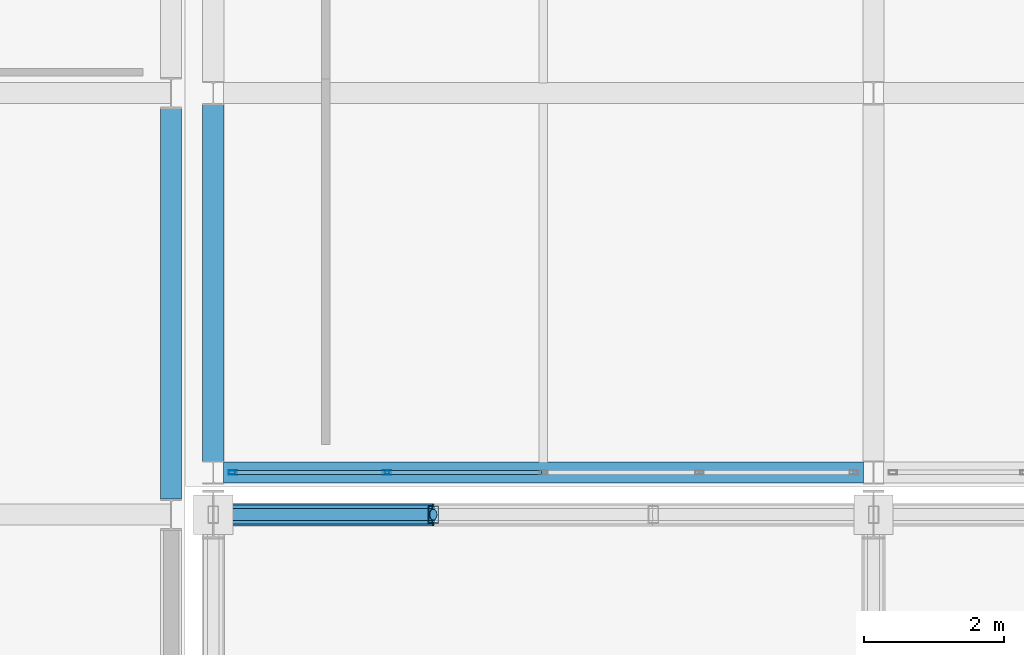
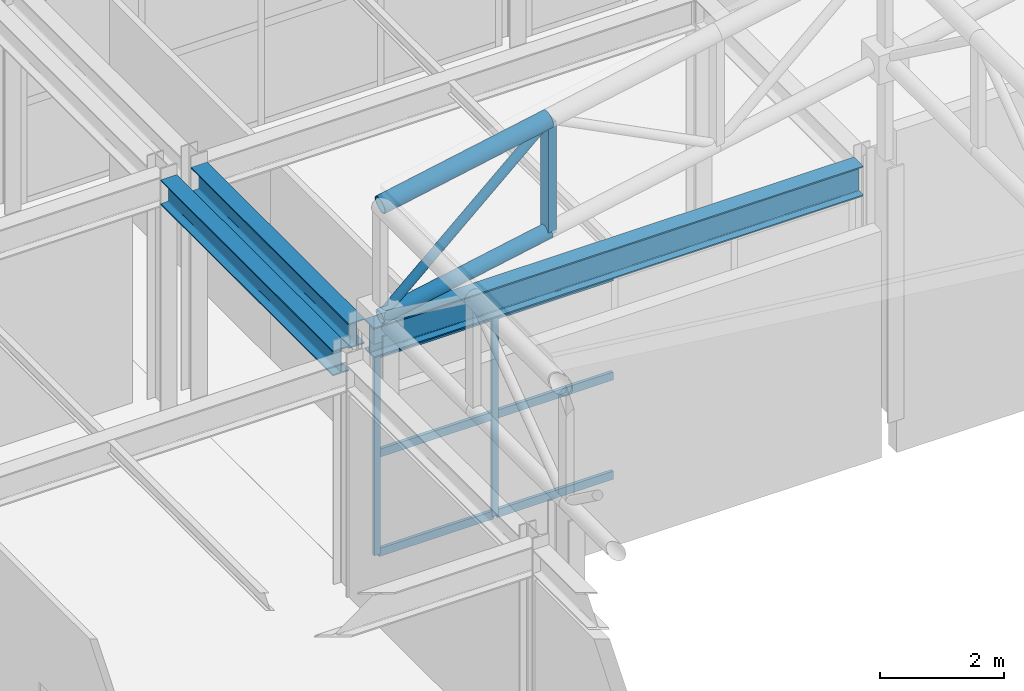
# One storey, part 62 of 112: 12 members, 3 beams, 1 element without a shape of its own.
"""IFC4 building model written with IfcOpenShell, lengths in metres."""

from ifc_helpers import new_model, si_unit, direction, frame, origin, origin_2d, place, context, subcontext, project, spatial, hollow_rectangle, hollow_circle, i_section, extrude, material, material_profile, profile_set, type_object, element, aggregate, save


model = new_model("IFC4")

# Units and contexts
model_context = context("Model", 3, precision=1e-05, world=origin(), true_north=direction((0.0, 1.0)))
body_context = subcontext(model_context, "Body", "Model", "MODEL_VIEW")
ifc_project = project(units=[si_unit("LENGTHUNIT", "METRE"), si_unit("AREAUNIT", "SQUARE_METRE"), si_unit("VOLUMEUNIT", "CUBIC_METRE"), si_unit("PLANEANGLEUNIT", "RADIAN"), si_unit("MASSUNIT", "GRAM", prefix="KILO")], contexts=[model_context])

# Site, building, storey
site_placement = place(None, origin())
site = spatial("IfcSite", under=ifc_project, at=site_placement, CompositionType="ELEMENT")
building_placement = place(site_placement, origin())
building = spatial("IfcBuilding", under=site, at=building_placement, Name="Kaldris Quays Convention Centre", CompositionType="ELEMENT")
storey_placement = place(building_placement, frame((0.0, 0.0, 16.800048828125)))
storey = spatial("IfcBuildingStorey", under=building, at=storey_placement, Name="L03", CompositionType="ELEMENT", Elevation=16.800048828125)

# Curtain wall, members
ifc_material_1 = material(Name="Anodized aluminium AW-6060 and triple glazing", Category="aluminium")
curtain_wall_type = type_object("IfcCurtainWallType", Name="UNITISED CURTAIN WALL CW06", PredefinedType="NOTDEFINED", material=ifc_material_1)
curtain_wall_placement = place(storey_placement, origin())
curtain_wall = element("IfcCurtainWall", 1, at=curtain_wall_placement, inside=storey, type_object=curtain_wall_type, Name="L03 Unitised Curtain Wall CW06 174", PredefinedType="NOTDEFINED")
ifc_material_2 = material(Name="Anodized aluminium AW-6060", Category="aluminium")
ifc_material_profile_1 = material_profile(ifc_material_2, hollow_rectangle(XDim=0.06005859375, YDim=0.1201171875, WallThickness=0.00390625, at=origin_2d()), Name="RHS 120x60x4")
ifc_profile_set_1 = profile_set([ifc_material_profile_1], Name="Anodized aluminium AW-6060")
member_type_1 = type_object("IfcMemberType", Name="CURTAIN MULLION CWM3", PredefinedType="MULLION", material=ifc_profile_set_1)
member_1_placement = place(storey_placement, frame((164.8798828125, 104.60009765625, 0.0), z_axis=(0.0, 0.0, 1.0), x_axis=(0.0, 1.0, 0.0)))
member_1 = element("IfcMember", 2, at=member_1_placement, type_object=member_type_1, Name="CW06 mullion 1", PredefinedType="MULLION", context=body_context, shape_type="SweptSolid", body=[
    extrude(hollow_rectangle(XDim=0.06005859375, YDim=0.1201171875, WallThickness=0.00390625, at=origin_2d()), origin(), (0.0, 0.0, 1.0), 3.967041015625),
])
member_2_placement = place(storey_placement, frame((167.074951171875, 104.60009765625, 0.0), z_axis=(0.0, 0.0, 1.0), x_axis=(0.0, 1.0, 0.0)))
member_2 = element("IfcMember", 3, at=member_2_placement, type_object=member_type_1, Name="CW06 mullion 2", PredefinedType="MULLION", context=body_context, shape_type="SweptSolid", body=[
    extrude(hollow_rectangle(XDim=0.06005859375, YDim=0.1201171875, WallThickness=0.00390625, at=origin_2d()), origin(), (0.0, 0.0, 1.0), 3.967041015625),
])
ifc_material_profile_2 = material_profile(ifc_material_2, hollow_rectangle(XDim=0.06005859375, YDim=0.159912109375, WallThickness=0.00390625, at=origin_2d()), Name="RHS 160x60x4")
ifc_profile_set_2 = profile_set([ifc_material_profile_2], Name="Anodized aluminium AW-6060")
member_type_2 = type_object("IfcMemberType", Name="CURTAIN TRANSOM CWT2", PredefinedType="USERDEFINED", material=ifc_profile_set_2)
member_3_placement = place(storey_placement, frame((164.909912109375, 104.60009765625, 0.030029296875), z_axis=(1.0, 0.0, 0.0), x_axis=(0.0, 1.0, 0.0)))
member_3 = element("IfcMember", 4, at=member_3_placement, type_object=member_type_2, Name="CW06 transom 1.1", ObjectType="TRANSOM", PredefinedType="USERDEFINED", context=body_context, shape_type="SweptSolid", body=[
    extrude(hollow_rectangle(XDim=0.06005859375, YDim=0.159912109375, WallThickness=0.00390625, at=origin_2d()), origin(), (0.0, 0.0, 1.0), 2.135009765625),
])
member_4_placement = place(storey_placement, frame((164.909912109375, 104.60009765625, 1.98388671875), z_axis=(1.0, 0.0, 0.0), x_axis=(0.0, 1.0, 0.0)))
member_4 = element("IfcMember", 5, at=member_4_placement, type_object=member_type_2, Name="CW06 transom 1.2", ObjectType="TRANSOM", PredefinedType="USERDEFINED", context=body_context, shape_type="SweptSolid", body=[
    extrude(hollow_rectangle(XDim=0.06005859375, YDim=0.159912109375, WallThickness=0.00390625, at=origin_2d()), origin(), (0.0, 0.0, 1.0), 2.135009765625),
])
member_5_placement = place(storey_placement, frame((164.909912109375, 104.60009765625, 3.93701171875), z_axis=(1.0, 0.0, 0.0), x_axis=(0.0, 1.0, 0.0)))
member_5 = element("IfcMember", 6, at=member_5_placement, type_object=member_type_2, Name="CW06 transom 1.3", ObjectType="TRANSOM", PredefinedType="USERDEFINED", context=body_context, shape_type="SweptSolid", body=[
    extrude(hollow_rectangle(XDim=0.06005859375, YDim=0.159912109375, WallThickness=0.00390625, at=origin_2d()), origin(), (0.0, 0.0, 1.0), 2.135009765625),
])
member_6_placement = place(storey_placement, frame((167.10498046875, 104.60009765625, 0.030029296875), z_axis=(1.0, 0.0, 0.0), x_axis=(0.0, 1.0, 0.0)))
member_6 = element("IfcMember", 7, at=member_6_placement, type_object=member_type_2, Name="CW06 transom 2.1", ObjectType="TRANSOM", PredefinedType="USERDEFINED", context=body_context, shape_type="SweptSolid", body=[
    extrude(hollow_rectangle(XDim=0.06005859375, YDim=0.159912109375, WallThickness=0.00390625, at=origin_2d()), origin(), (0.0, 0.0, 1.0), 2.1650390625),
])
member_7_placement = place(storey_placement, frame((167.10498046875, 104.60009765625, 1.98388671875), z_axis=(1.0, 0.0, 0.0), x_axis=(0.0, 1.0, 0.0)))
member_7 = element("IfcMember", 8, at=member_7_placement, type_object=member_type_2, Name="CW06 transom 2.2", ObjectType="TRANSOM", PredefinedType="USERDEFINED", context=body_context, shape_type="SweptSolid", body=[
    extrude(hollow_rectangle(XDim=0.06005859375, YDim=0.159912109375, WallThickness=0.00390625, at=origin_2d()), origin(), (0.0, 0.0, 1.0), 2.1650390625),
])
member_8_placement = place(storey_placement, frame((167.10498046875, 104.60009765625, 3.93701171875), z_axis=(1.0, 0.0, 0.0), x_axis=(0.0, 1.0, 0.0)))
member_8 = element("IfcMember", 9, at=member_8_placement, type_object=member_type_2, Name="CW06 transom 2.3", ObjectType="TRANSOM", PredefinedType="USERDEFINED", context=body_context, shape_type="SweptSolid", body=[
    extrude(hollow_rectangle(XDim=0.06005859375, YDim=0.159912109375, WallThickness=0.00390625, at=origin_2d()), origin(), (0.0, 0.0, 1.0), 2.1650390625),
])
aggregate(curtain_wall, [member_1, member_2, member_3, member_4, member_5, member_6, member_7, member_8])

# Beams
ifc_material_3 = material(Name="Steel S355J2", Category="steel")
ifc_material_profile_3 = material_profile(ifc_material_3, i_section(OverallWidth=0.300048828125, OverallDepth=0.590087890625, WebThickness=0.012939453125, FlangeThickness=0.02490234375, FilletRadius=0.027099609375, at=origin_2d()), Name="HEA 600")
ifc_profile_set_3 = profile_set([ifc_material_profile_3], Name="Steel S355J2")
beam_type_1 = type_object("IfcBeamType", Name="STRUCTURAL BEAM BM08", PredefinedType="BEAM", material=ifc_profile_set_3)
beam_1_placement = place(storey_placement, frame((164.743896484375, 104.60009765625, 4.286865234375), z_axis=(1.0, 0.0, 0.0), x_axis=(0.0, 1.0, 0.0)))
element("IfcBeam", 10, at=beam_1_placement, inside=storey, type_object=beam_type_1, Name="L03 Girder BM08 43", PredefinedType="BEAM", context=body_context, shape_type="SweptSolid", body=[
    extrude(i_section(OverallWidth=0.300048828125, OverallDepth=0.590087890625, WebThickness=0.012939453125, FlangeThickness=0.02490234375, FilletRadius=0.027099609375, at=origin_2d()), origin(), (0.0, 0.0, 1.0), 9.112060546875),
])
ifc_material_profile_4 = material_profile(ifc_material_3, i_section(OverallWidth=0.300048828125, OverallDepth=0.489990234375, WebThickness=0.011962890625, FlangeThickness=0.02294921875, FilletRadius=0.027099609375, at=origin_2d()), Name="HEA 500")
ifc_profile_set_4 = profile_set([ifc_material_profile_4], Name="Steel S355J2")
beam_type_2 = type_object("IfcBeamType", Name="STRUCTURAL BEAM BM09", PredefinedType="BEAM", material=ifc_profile_set_4)
beam_2_placement = place(storey_placement, frame((164.0, 104.218994140625, 4.3369140625), z_axis=(0.0, 1.0, 0.0), x_axis=(-1.0, 0.0, 0.0)))
element("IfcBeam", 11, at=beam_2_placement, inside=storey, type_object=beam_type_2, Name="L03 Girder BM09 100", PredefinedType="BEAM", context=body_context, shape_type="SweptSolid", body=[
    extrude(i_section(OverallWidth=0.300048828125, OverallDepth=0.489990234375, WebThickness=0.011962890625, FlangeThickness=0.02294921875, FilletRadius=0.027099609375, at=origin_2d()), origin(), (0.0, 0.0, 1.0), 5.56201171875),
])
beam_3_placement = place(storey_placement, frame((164.60009765625, 104.759033203125, 4.3369140625), z_axis=(0.0, 1.0, 0.0), x_axis=(-1.0, 0.0, 0.0)))
element("IfcBeam", 12, at=beam_3_placement, inside=storey, type_object=beam_type_2, Name="L03 Girder BM09 102", PredefinedType="BEAM", context=body_context, shape_type="SweptSolid", body=[
    extrude(i_section(OverallWidth=0.300048828125, OverallDepth=0.489990234375, WebThickness=0.011962890625, FlangeThickness=0.02294921875, FilletRadius=0.027099609375, at=origin_2d()), origin(), (0.0, 0.0, 1.0), 5.08203125),
])

# Members
ifc_material_4 = material(Name="Steel S355J2H", Category="steel")
ifc_material_profile_5 = material_profile(ifc_material_4, hollow_circle(Radius=0.161865234375, WallThickness=0.01611328125, at=origin_2d()), Name="CHS 323.9x16")
ifc_profile_set_5 = profile_set([ifc_material_profile_5], Name="Steel S355J2H")
member_type_3 = type_object("IfcMemberType", Name="STRUCTURAL MEMBER SC03", PredefinedType="CHORD", material=ifc_profile_set_5)
member_9_placement = place(storey_placement, frame((164.60009765625, 104.0, 7.33056640625), z_axis=(0.981908086595, 0.0, 0.189358151342), x_axis=(0.0, 1.0, 0.0)))
element("IfcMember", 13, at=member_9_placement, inside=storey, type_object=member_type_3, Name="SF-V2 Top Chord X 61", PredefinedType="CHORD", context=body_context, shape_type="SweptSolid", body=[
    extrude(hollow_circle(Radius=0.161865234375, WallThickness=0.01611328125, at=origin_2d()), origin(), (0.0, 0.0, 1.0), 3.19091796875),
])
ifc_material_profile_6 = material_profile(ifc_material_4, hollow_circle(Radius=0.136474609375, WallThickness=0.012451171875, at=origin_2d()), Name="CHS 273x12.5")
ifc_profile_set_6 = profile_set([ifc_material_profile_6], Name="Steel S355J2H")
member_type_4 = type_object("IfcMemberType", Name="STRUCTURAL MEMBER SC04", PredefinedType="CHORD", material=ifc_profile_set_6)
member_10_placement = place(storey_placement, frame((164.60009765625, 104.0, 5.13037109375), z_axis=(0.981893858658, 0.0, 0.189431914761), x_axis=(0.0, 1.0, 0.0)))
element("IfcMember", 14, at=member_10_placement, inside=storey, type_object=member_type_4, Name="SF-V2 Bottom Chord X 61", PredefinedType="CHORD", context=body_context, shape_type="SweptSolid", body=[
    extrude(hollow_circle(Radius=0.136474609375, WallThickness=0.012451171875, at=origin_2d()), origin(), (0.0, 0.0, 1.0), 3.191162109375),
])
ifc_material_profile_7 = material_profile(ifc_material_4, hollow_circle(Radius=0.084228515625, WallThickness=0.008056640625, at=origin_2d()), Name="CHS 168.3x8")
ifc_profile_set_7 = profile_set([ifc_material_profile_7], Name="Steel S355J2H")
member_type_5 = type_object("IfcMemberType", Name="STRUCTURAL MEMBER SWB2", PredefinedType="BRACE", material=ifc_profile_set_7)
member_11_placement = place(storey_placement, frame((164.60009765625, 104.0, 5.13037109375), z_axis=(0.745127417967, 0.0, 0.666922132631), x_axis=(0.0, 1.0, 0.0)))
element("IfcMember", 15, at=member_11_placement, inside=storey, type_object=member_type_5, Name="SF-V2 Web Diagonal X 61", PredefinedType="BRACE", context=body_context, shape_type="SweptSolid", body=[
    extrude(hollow_circle(Radius=0.084228515625, WallThickness=0.008056640625, at=origin_2d()), origin(), (0.0, 0.0, 1.0), 4.205078125),
])
ifc_material_profile_8 = material_profile(ifc_material_4, hollow_rectangle(XDim=0.14990234375, YDim=0.25, WallThickness=0.010009765625, at=origin_2d()), Name="RHS 250x150x10")
ifc_profile_set_8 = profile_set([ifc_material_profile_8], Name="Steel S355J2H")
member_type_6 = type_object("IfcMemberType", Name="STRUCTURAL MEMBER TTV1", PredefinedType="POST", material=ifc_profile_set_8)
member_12_placement = place(storey_placement, frame((167.73291015625, 104.0, 5.73486328125), z_axis=(0.0, 0.0, 1.0), x_axis=(1.0, 0.0, 0.0)))
element("IfcMember", 16, at=member_12_placement, inside=storey, type_object=member_type_6, Name="SF-V2 Space-Frame Post 22", PredefinedType="POST", context=body_context, shape_type="SweptSolid", body=[
    extrude(hollow_rectangle(XDim=0.14990234375, YDim=0.25, WallThickness=0.010009765625, at=origin_2d()), origin(), (0.0, 0.0, 1.0), 2.199951171875),
])

save(model, "model.ifc")
